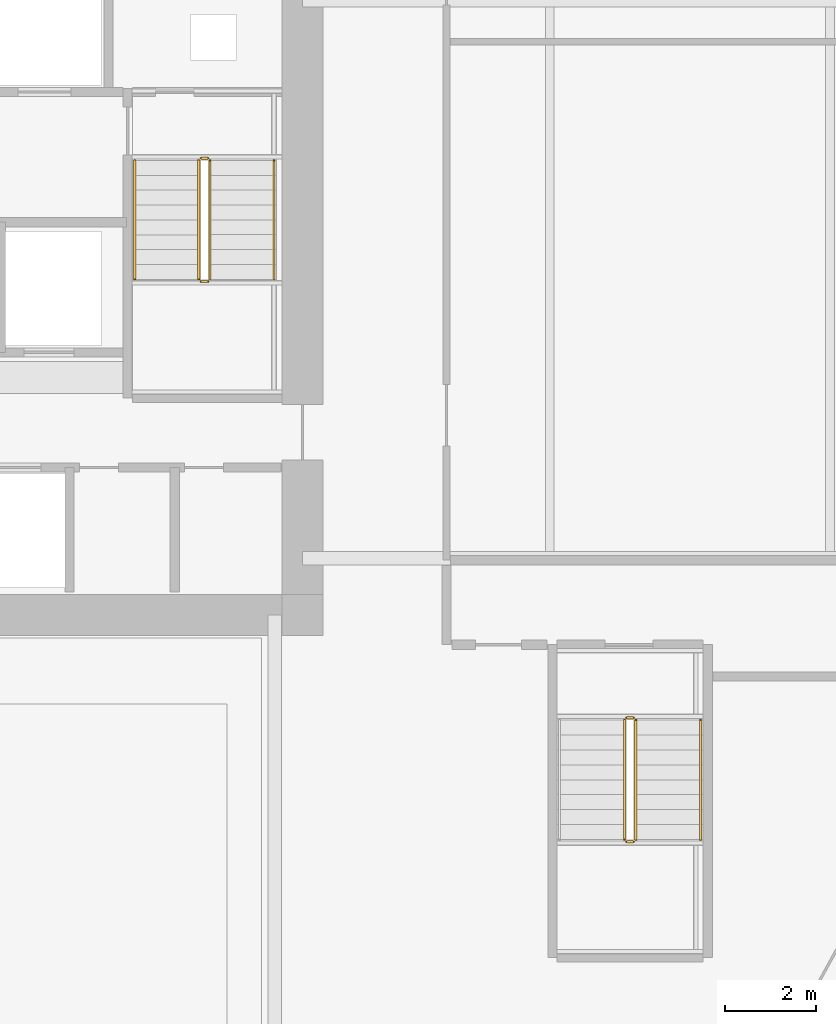
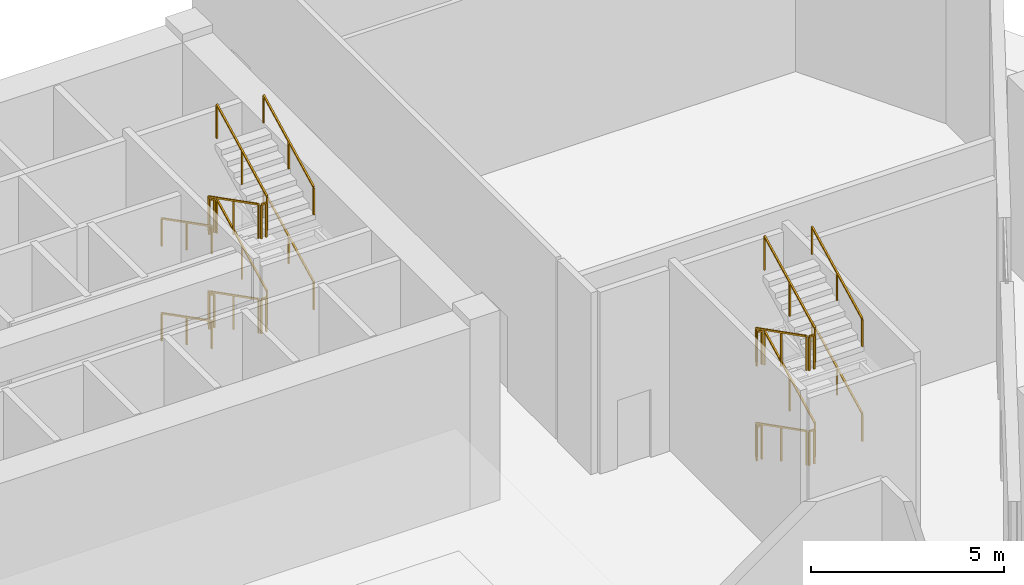
# One storey, part 21 of 22: 22 railings.
"""IFC4 building model written with IfcOpenShell, lengths in metres."""

from ifc_helpers import new_model, si_unit, direction, frame, origin, origin_2d, place, context, subcontext, project, spatial, rectangle, extrude, material, type_object, element, save


model = new_model("IFC4")

# Units and contexts
model_context = context("Model", 3, precision=1e-05, world=origin(), true_north=direction((0.0, 1.0)))
body_context = subcontext(model_context, "Body", "Model", "MODEL_VIEW")
ifc_project = project(units=[si_unit("LENGTHUNIT", "METRE"), si_unit("AREAUNIT", "SQUARE_METRE"), si_unit("VOLUMEUNIT", "CUBIC_METRE"), si_unit("PLANEANGLEUNIT", "RADIAN"), si_unit("MASSUNIT", "GRAM", prefix="KILO")], contexts=[model_context])

# Site, building, storey
site_placement = place(None, origin())
site = spatial("IfcSite", under=ifc_project, at=site_placement, CompositionType="ELEMENT")
building_placement = place(site_placement, origin())
building = spatial("IfcBuilding", under=site, at=building_placement, Name="Cinnabar Lancet Tower", CompositionType="ELEMENT")
storey_placement = place(building_placement, origin())
storey = spatial("IfcBuildingStorey", under=building, at=storey_placement, Name="L00", CompositionType="ELEMENT", Elevation=0.0)

# Railings
ifc_material_1 = material(Name="Painted galvanized steel balustrade", Category="steel")
railing_type_1 = type_object("IfcRailingType", Name="GUARD-STAIR", PredefinedType="GUARDRAIL", material=ifc_material_1)
railing_1_placement = place(storey_placement, frame((39.574951171875, 28.39990234375, 0.166748046875)))
element("IfcRailing", 1, at=railing_1_placement, inside=storey, type_object=railing_type_1, Name="L00 ST-2 stair guard 1", PredefinedType="GUARDRAIL", context=body_context, shape_type="SweptSolid", body=[
    extrude(rectangle(XDim=0.048095703125, YDim=0.048095703125, at=origin_2d()), frame((0.0, 0.0, 1.076171875), z_axis=(0.0, -0.889818332763, 0.45631495119), x_axis=(1.0, 0.0, 0.0)), (0.0, 0.0, 1.0), 2.921875),
    extrude(rectangle(XDim=0.0419921875, YDim=0.0419921875, at=origin_2d()), origin(), (0.0, 0.0, 1.0), 1.052001953125),
    extrude(rectangle(XDim=0.0419921875, YDim=0.0419921875, at=origin_2d()), frame((0.0, -1.2998046875, 0.66650390625)), (0.0, 0.0, 1.0), 1.052001953125),
    extrude(rectangle(XDim=0.0419921875, YDim=0.0419921875, at=origin_2d()), frame((0.0, -2.599853515625, 1.333251953125)), (0.0, 0.0, 1.0), 1.052001953125),
])
railing_2_placement = place(storey_placement, frame((39.625, 25.75, 1.5)))
element("IfcRailing", 2, at=railing_2_placement, inside=storey, type_object=railing_type_1, Name="L00 ST-2 stair guard 2", PredefinedType="GUARDRAIL", context=body_context, shape_type="SweptSolid", body=[
    extrude(rectangle(XDim=0.048095703125, YDim=0.048095703125, at=origin_2d()), frame((0.0, 0.0, 1.076171875), z_axis=(1.0, 0.0, 0.0), x_axis=(0.0, 1.0, 0.0)), (0.0, 0.0, 1.0), 0.14990234375),
    extrude(rectangle(XDim=0.0419921875, YDim=0.0419921875, at=origin_2d()), origin(), (0.0, 0.0, 1.0), 1.052001953125),
    extrude(rectangle(XDim=0.0419921875, YDim=0.0419921875, at=origin_2d()), frame((0.14990234375, 0.0, 0.0)), (0.0, 0.0, 1.0), 1.052001953125),
])
railing_3_placement = place(storey_placement, frame((39.824951171875, 25.800048828125, 1.666748046875)))
element("IfcRailing", 3, at=railing_3_placement, inside=storey, type_object=railing_type_1, Name="L00 ST-2 stair guard 3", PredefinedType="GUARDRAIL", context=body_context, shape_type="SweptSolid", body=[
    extrude(rectangle(XDim=0.048095703125, YDim=0.048095703125, at=origin_2d()), frame((0.0, 0.0, 1.076171875), z_axis=(0.0, 0.889818332763, 0.45631495119), x_axis=(-1.0, 0.0, 0.0)), (0.0, 0.0, 1.0), 2.921875),
    extrude(rectangle(XDim=0.0419921875, YDim=0.0419921875, at=origin_2d()), origin(), (0.0, 0.0, 1.0), 1.052001953125),
    extrude(rectangle(XDim=0.0419921875, YDim=0.0419921875, at=origin_2d()), frame((0.0, 1.2998046875, 0.66650390625)), (0.0, 0.0, 1.0), 1.052001953125),
    extrude(rectangle(XDim=0.0419921875, YDim=0.0419921875, at=origin_2d()), frame((0.0, 2.599853515625, 1.333251953125)), (0.0, 0.0, 1.0), 1.052001953125),
])
railing_4_placement = place(storey_placement, frame((39.625, 28.449951171875, 3.0)))
element("IfcRailing", 4, at=railing_4_placement, inside=storey, type_object=railing_type_1, Name="L00 ST-2 stair guard 4", PredefinedType="GUARDRAIL", context=body_context, shape_type="SweptSolid", body=[
    extrude(rectangle(XDim=0.048095703125, YDim=0.048095703125, at=origin_2d()), frame((0.0, 0.0, 1.076171875), z_axis=(1.0, 0.0, 0.0), x_axis=(0.0, 1.0, 0.0)), (0.0, 0.0, 1.0), 0.14990234375),
    extrude(rectangle(XDim=0.0419921875, YDim=0.0419921875, at=origin_2d()), origin(), (0.0, 0.0, 1.0), 1.052001953125),
    extrude(rectangle(XDim=0.0419921875, YDim=0.0419921875, at=origin_2d()), frame((0.14990234375, 0.0, 0.0)), (0.0, 0.0, 1.0), 1.052001953125),
])
railing_5_placement = place(storey_placement, frame((39.574951171875, 28.39990234375, 3.166748046875)))
element("IfcRailing", 5, at=railing_5_placement, inside=storey, type_object=railing_type_1, Name="L00 ST-2 stair guard 5", PredefinedType="GUARDRAIL", context=body_context, shape_type="SweptSolid", body=[
    extrude(rectangle(XDim=0.048095703125, YDim=0.048095703125, at=origin_2d()), frame((0.0, 0.0, 1.076171875), z_axis=(0.0, -0.889818332763, 0.45631495119), x_axis=(1.0, 0.0, 0.0)), (0.0, 0.0, 1.0), 2.921875),
    extrude(rectangle(XDim=0.0419921875, YDim=0.0419921875, at=origin_2d()), origin(), (0.0, 0.0, 1.0), 1.052001953125),
    extrude(rectangle(XDim=0.0419921875, YDim=0.0419921875, at=origin_2d()), frame((0.0, -1.2998046875, 0.66650390625)), (0.0, 0.0, 1.0), 1.052001953125),
    extrude(rectangle(XDim=0.0419921875, YDim=0.0419921875, at=origin_2d()), frame((0.0, -2.599853515625, 1.333251953125)), (0.0, 0.0, 1.0), 1.052001953125),
])
railing_6_placement = place(storey_placement, frame((39.625, 25.75, 4.5)))
element("IfcRailing", 6, at=railing_6_placement, inside=storey, type_object=railing_type_1, Name="L00 ST-2 stair guard 6", PredefinedType="GUARDRAIL", context=body_context, shape_type="SweptSolid", body=[
    extrude(rectangle(XDim=0.048095703125, YDim=0.048095703125, at=origin_2d()), frame((0.0, 0.0, 1.076171875), z_axis=(1.0, 0.0, 0.0), x_axis=(0.0, 1.0, 0.0)), (0.0, 0.0, 1.0), 0.14990234375),
    extrude(rectangle(XDim=0.0419921875, YDim=0.0419921875, at=origin_2d()), origin(), (0.0, 0.0, 1.0), 1.052001953125),
    extrude(rectangle(XDim=0.0419921875, YDim=0.0419921875, at=origin_2d()), frame((0.14990234375, 0.0, 0.0)), (0.0, 0.0, 1.0), 1.052001953125),
])
railing_7_placement = place(storey_placement, frame((39.824951171875, 25.800048828125, 4.666748046875)))
element("IfcRailing", 7, at=railing_7_placement, inside=storey, type_object=railing_type_1, Name="L00 ST-2 stair guard 7", PredefinedType="GUARDRAIL", context=body_context, shape_type="SweptSolid", body=[
    extrude(rectangle(XDim=0.048095703125, YDim=0.048095703125, at=origin_2d()), frame((0.0, 0.0, 1.076171875), z_axis=(0.0, 0.889818332763, 0.45631495119), x_axis=(-1.0, 0.0, 0.0)), (0.0, 0.0, 1.0), 2.921875),
    extrude(rectangle(XDim=0.0419921875, YDim=0.0419921875, at=origin_2d()), origin(), (0.0, 0.0, 1.0), 1.052001953125),
    extrude(rectangle(XDim=0.0419921875, YDim=0.0419921875, at=origin_2d()), frame((0.0, 1.2998046875, 0.66650390625)), (0.0, 0.0, 1.0), 1.052001953125),
    extrude(rectangle(XDim=0.0419921875, YDim=0.0419921875, at=origin_2d()), frame((0.0, 2.599853515625, 1.333251953125)), (0.0, 0.0, 1.0), 1.052001953125),
])
railing_8_placement = place(storey_placement, frame((39.625, 28.449951171875, 0.0)))
element("IfcRailing", 8, at=railing_8_placement, inside=storey, type_object=railing_type_1, Name="L00 ST-2 stair guard 8", PredefinedType="GUARDRAIL", context=body_context, shape_type="SweptSolid", body=[
    extrude(rectangle(XDim=0.048095703125, YDim=0.048095703125, at=origin_2d()), frame((0.0, 0.0, 1.076171875), z_axis=(1.0, 0.0, 0.0), x_axis=(0.0, 1.0, 0.0)), (0.0, 0.0, 1.0), 0.14990234375),
    extrude(rectangle(XDim=0.0419921875, YDim=0.0419921875, at=origin_2d()), origin(), (0.0, 0.0, 1.0), 1.052001953125),
    extrude(rectangle(XDim=0.0419921875, YDim=0.0419921875, at=origin_2d()), frame((0.14990234375, 0.0, 0.0)), (0.0, 0.0, 1.0), 1.052001953125),
])
railing_9_placement = place(storey_placement, frame((48.89501953125, 16.14990234375, 0.166748046875)))
element("IfcRailing", 9, at=railing_9_placement, inside=storey, type_object=railing_type_1, Name="L00 ST-4 stair guard 1", PredefinedType="GUARDRAIL", context=body_context, shape_type="SweptSolid", body=[
    extrude(rectangle(XDim=0.048095703125, YDim=0.048095703125, at=origin_2d()), frame((0.0, 0.0, 1.076171875), z_axis=(0.0, -0.890838150125, 0.454320801067), x_axis=(1.0, 0.0, 0.0)), (0.0, 0.0, 1.0), 2.9345703125),
    extrude(rectangle(XDim=0.0419921875, YDim=0.0419921875, at=origin_2d()), origin(), (0.0, 0.0, 1.0), 1.052001953125),
    extrude(rectangle(XDim=0.0419921875, YDim=0.0419921875, at=origin_2d()), frame((0.0, -1.30712890625, 0.66650390625)), (0.0, 0.0, 1.0), 1.052001953125),
    extrude(rectangle(XDim=0.0419921875, YDim=0.0419921875, at=origin_2d()), frame((0.0, -2.6142578125, 1.333251953125)), (0.0, 0.0, 1.0), 1.052001953125),
])
railing_10_placement = place(storey_placement, frame((48.945068359375, 13.485595703125, 1.5)))
element("IfcRailing", 10, at=railing_10_placement, inside=storey, type_object=railing_type_1, Name="L00 ST-4 stair guard 2", PredefinedType="GUARDRAIL", context=body_context, shape_type="SweptSolid", body=[
    extrude(rectangle(XDim=0.048095703125, YDim=0.048095703125, at=origin_2d()), frame((0.0, 0.0, 1.076171875), z_axis=(1.0, 0.0, 0.0), x_axis=(0.0, 1.0, 0.0)), (0.0, 0.0, 1.0), 0.14990234375),
    extrude(rectangle(XDim=0.0419921875, YDim=0.0419921875, at=origin_2d()), origin(), (0.0, 0.0, 1.0), 1.052001953125),
    extrude(rectangle(XDim=0.0419921875, YDim=0.0419921875, at=origin_2d()), frame((0.14990234375, 0.0, 0.0)), (0.0, 0.0, 1.0), 1.052001953125),
])
railing_11_placement = place(storey_placement, frame((49.14501953125, 13.53564453125, 1.666748046875)))
element("IfcRailing", 11, at=railing_11_placement, inside=storey, type_object=railing_type_1, Name="L00 ST-4 stair guard 3", PredefinedType="GUARDRAIL", context=body_context, shape_type="SweptSolid", body=[
    extrude(rectangle(XDim=0.048095703125, YDim=0.048095703125, at=origin_2d()), frame((0.0, 0.0, 1.076171875), z_axis=(0.0, 0.890838150125, 0.454320801067), x_axis=(-1.0, 0.0, 0.0)), (0.0, 0.0, 1.0), 2.9345703125),
    extrude(rectangle(XDim=0.0419921875, YDim=0.0419921875, at=origin_2d()), origin(), (0.0, 0.0, 1.0), 1.052001953125),
    extrude(rectangle(XDim=0.0419921875, YDim=0.0419921875, at=origin_2d()), frame((0.0, 1.30712890625, 0.66650390625)), (0.0, 0.0, 1.0), 1.052001953125),
    extrude(rectangle(XDim=0.0419921875, YDim=0.0419921875, at=origin_2d()), frame((0.0, 2.6142578125, 1.333251953125)), (0.0, 0.0, 1.0), 1.052001953125),
])
railing_12_placement = place(storey_placement, frame((48.945068359375, 16.199951171875, 3.0)))
element("IfcRailing", 12, at=railing_12_placement, inside=storey, type_object=railing_type_1, Name="L00 ST-4 stair guard 4", PredefinedType="GUARDRAIL", context=body_context, shape_type="SweptSolid", body=[
    extrude(rectangle(XDim=0.048095703125, YDim=0.048095703125, at=origin_2d()), frame((0.0, 0.0, 1.076171875), z_axis=(1.0, 0.0, 0.0), x_axis=(0.0, 1.0, 0.0)), (0.0, 0.0, 1.0), 0.14990234375),
    extrude(rectangle(XDim=0.0419921875, YDim=0.0419921875, at=origin_2d()), origin(), (0.0, 0.0, 1.0), 1.052001953125),
    extrude(rectangle(XDim=0.0419921875, YDim=0.0419921875, at=origin_2d()), frame((0.14990234375, 0.0, 0.0)), (0.0, 0.0, 1.0), 1.052001953125),
])
railing_13_placement = place(storey_placement, frame((48.89501953125, 16.14990234375, 3.166748046875)))
element("IfcRailing", 13, at=railing_13_placement, inside=storey, type_object=railing_type_1, Name="L00 ST-4 stair guard 5", PredefinedType="GUARDRAIL", context=body_context, shape_type="SweptSolid", body=[
    extrude(rectangle(XDim=0.048095703125, YDim=0.048095703125, at=origin_2d()), frame((0.0, 0.0, 1.076171875), z_axis=(0.0, -0.890838150125, 0.454320801067), x_axis=(1.0, 0.0, 0.0)), (0.0, 0.0, 1.0), 2.9345703125),
    extrude(rectangle(XDim=0.0419921875, YDim=0.0419921875, at=origin_2d()), origin(), (0.0, 0.0, 1.0), 1.052001953125),
    extrude(rectangle(XDim=0.0419921875, YDim=0.0419921875, at=origin_2d()), frame((0.0, -1.30712890625, 0.66650390625)), (0.0, 0.0, 1.0), 1.052001953125),
    extrude(rectangle(XDim=0.0419921875, YDim=0.0419921875, at=origin_2d()), frame((0.0, -2.6142578125, 1.333251953125)), (0.0, 0.0, 1.0), 1.052001953125),
])
railing_14_placement = place(storey_placement, frame((48.945068359375, 13.485595703125, 4.5)))
element("IfcRailing", 14, at=railing_14_placement, inside=storey, type_object=railing_type_1, Name="L00 ST-4 stair guard 6", PredefinedType="GUARDRAIL", context=body_context, shape_type="SweptSolid", body=[
    extrude(rectangle(XDim=0.048095703125, YDim=0.048095703125, at=origin_2d()), frame((0.0, 0.0, 1.076171875), z_axis=(1.0, 0.0, 0.0), x_axis=(0.0, 1.0, 0.0)), (0.0, 0.0, 1.0), 0.14990234375),
    extrude(rectangle(XDim=0.0419921875, YDim=0.0419921875, at=origin_2d()), origin(), (0.0, 0.0, 1.0), 1.052001953125),
    extrude(rectangle(XDim=0.0419921875, YDim=0.0419921875, at=origin_2d()), frame((0.14990234375, 0.0, 0.0)), (0.0, 0.0, 1.0), 1.052001953125),
])
railing_15_placement = place(storey_placement, frame((49.14501953125, 13.53564453125, 4.666748046875)))
element("IfcRailing", 15, at=railing_15_placement, inside=storey, type_object=railing_type_1, Name="L00 ST-4 stair guard 7", PredefinedType="GUARDRAIL", context=body_context, shape_type="SweptSolid", body=[
    extrude(rectangle(XDim=0.048095703125, YDim=0.048095703125, at=origin_2d()), frame((0.0, 0.0, 1.076171875), z_axis=(0.0, 0.890838150125, 0.454320801067), x_axis=(-1.0, 0.0, 0.0)), (0.0, 0.0, 1.0), 2.9345703125),
    extrude(rectangle(XDim=0.0419921875, YDim=0.0419921875, at=origin_2d()), origin(), (0.0, 0.0, 1.0), 1.052001953125),
    extrude(rectangle(XDim=0.0419921875, YDim=0.0419921875, at=origin_2d()), frame((0.0, 1.30712890625, 0.66650390625)), (0.0, 0.0, 1.0), 1.052001953125),
    extrude(rectangle(XDim=0.0419921875, YDim=0.0419921875, at=origin_2d()), frame((0.0, 2.6142578125, 1.333251953125)), (0.0, 0.0, 1.0), 1.052001953125),
])
railing_16_placement = place(storey_placement, frame((48.945068359375, 16.199951171875, 0.0)))
element("IfcRailing", 16, at=railing_16_placement, inside=storey, type_object=railing_type_1, Name="L00 ST-4 stair guard 8", PredefinedType="GUARDRAIL", context=body_context, shape_type="SweptSolid", body=[
    extrude(rectangle(XDim=0.048095703125, YDim=0.048095703125, at=origin_2d()), frame((0.0, 0.0, 1.076171875), z_axis=(1.0, 0.0, 0.0), x_axis=(0.0, 1.0, 0.0)), (0.0, 0.0, 1.0), 0.14990234375),
    extrude(rectangle(XDim=0.0419921875, YDim=0.0419921875, at=origin_2d()), origin(), (0.0, 0.0, 1.0), 1.052001953125),
    extrude(rectangle(XDim=0.0419921875, YDim=0.0419921875, at=origin_2d()), frame((0.14990234375, 0.0, 0.0)), (0.0, 0.0, 1.0), 1.052001953125),
])
ifc_material_2 = material(Name="Brushed stainless steel handrail", Category="steel")
railing_type_2 = type_object("IfcRailingType", Name="HANDRAIL-STAIR", PredefinedType="HANDRAIL", material=ifc_material_2)
railing_17_placement = place(storey_placement, frame((38.175048828125, 28.39990234375, 0.166748046875)))
element("IfcRailing", 17, at=railing_17_placement, inside=storey, type_object=railing_type_2, Name="L00 ST-2 stair handrail 1", PredefinedType="HANDRAIL", context=body_context, shape_type="SweptSolid", body=[
    extrude(rectangle(XDim=0.048095703125, YDim=0.048095703125, at=origin_2d()), frame((0.0, 0.0, 0.8759765625), z_axis=(0.0, -0.889818332763, 0.45631495119), x_axis=(1.0, 0.0, 0.0)), (0.0, 0.0, 1.0), 2.921875),
    extrude(rectangle(XDim=0.0419921875, YDim=0.0419921875, at=origin_2d()), origin(), (0.0, 0.0, 1.0), 0.851806640625),
    extrude(rectangle(XDim=0.0419921875, YDim=0.0419921875, at=origin_2d()), frame((0.0, -1.2998046875, 0.66650390625)), (0.0, 0.0, 1.0), 0.851806640625),
    extrude(rectangle(XDim=0.0419921875, YDim=0.0419921875, at=origin_2d()), frame((0.0, -2.599853515625, 1.333251953125)), (0.0, 0.0, 1.0), 0.851806640625),
])
railing_18_placement = place(storey_placement, frame((41.22509765625, 25.800048828125, 1.666748046875)))
element("IfcRailing", 18, at=railing_18_placement, inside=storey, type_object=railing_type_2, Name="L00 ST-2 stair handrail 2", PredefinedType="HANDRAIL", context=body_context, shape_type="SweptSolid", body=[
    extrude(rectangle(XDim=0.048095703125, YDim=0.048095703125, at=origin_2d()), frame((0.0, 0.0, 0.8759765625), z_axis=(0.0, 0.889818332763, 0.45631495119), x_axis=(-1.0, 0.0, 0.0)), (0.0, 0.0, 1.0), 2.921875),
    extrude(rectangle(XDim=0.0419921875, YDim=0.0419921875, at=origin_2d()), origin(), (0.0, 0.0, 1.0), 0.851806640625),
    extrude(rectangle(XDim=0.0419921875, YDim=0.0419921875, at=origin_2d()), frame((0.0, 1.2998046875, 0.66650390625)), (0.0, 0.0, 1.0), 0.851806640625),
    extrude(rectangle(XDim=0.0419921875, YDim=0.0419921875, at=origin_2d()), frame((0.0, 2.599853515625, 1.333251953125)), (0.0, 0.0, 1.0), 0.851806640625),
])
railing_19_placement = place(storey_placement, frame((38.175048828125, 28.39990234375, 3.166748046875)))
element("IfcRailing", 19, at=railing_19_placement, inside=storey, type_object=railing_type_2, Name="L00 ST-2 stair handrail 3", PredefinedType="HANDRAIL", context=body_context, shape_type="SweptSolid", body=[
    extrude(rectangle(XDim=0.048095703125, YDim=0.048095703125, at=origin_2d()), frame((0.0, 0.0, 0.8759765625), z_axis=(0.0, -0.889818332763, 0.45631495119), x_axis=(1.0, 0.0, 0.0)), (0.0, 0.0, 1.0), 2.921875),
    extrude(rectangle(XDim=0.0419921875, YDim=0.0419921875, at=origin_2d()), origin(), (0.0, 0.0, 1.0), 0.851806640625),
    extrude(rectangle(XDim=0.0419921875, YDim=0.0419921875, at=origin_2d()), frame((0.0, -1.2998046875, 0.66650390625)), (0.0, 0.0, 1.0), 0.851806640625),
    extrude(rectangle(XDim=0.0419921875, YDim=0.0419921875, at=origin_2d()), frame((0.0, -2.599853515625, 1.333251953125)), (0.0, 0.0, 1.0), 0.851806640625),
])
railing_20_placement = place(storey_placement, frame((41.22509765625, 25.800048828125, 4.666748046875)))
element("IfcRailing", 20, at=railing_20_placement, inside=storey, type_object=railing_type_2, Name="L00 ST-2 stair handrail 4", PredefinedType="HANDRAIL", context=body_context, shape_type="SweptSolid", body=[
    extrude(rectangle(XDim=0.048095703125, YDim=0.048095703125, at=origin_2d()), frame((0.0, 0.0, 0.8759765625), z_axis=(0.0, 0.889818332763, 0.45631495119), x_axis=(-1.0, 0.0, 0.0)), (0.0, 0.0, 1.0), 2.921875),
    extrude(rectangle(XDim=0.0419921875, YDim=0.0419921875, at=origin_2d()), origin(), (0.0, 0.0, 1.0), 0.851806640625),
    extrude(rectangle(XDim=0.0419921875, YDim=0.0419921875, at=origin_2d()), frame((0.0, 1.2998046875, 0.66650390625)), (0.0, 0.0, 1.0), 0.851806640625),
    extrude(rectangle(XDim=0.0419921875, YDim=0.0419921875, at=origin_2d()), frame((0.0, 2.599853515625, 1.333251953125)), (0.0, 0.0, 1.0), 0.851806640625),
])
for number, where, name in (
    (21, (50.56494140625, 13.53564453125, 1.666748046875), "L00 ST-4 stair handrail 2"),
    (22, (50.56494140625, 13.53564453125, 4.666748046875), "L00 ST-4 stair handrail 4"),
):
    element("IfcRailing", number, at=place(storey_placement, frame(where)), inside=storey, type_object=railing_type_2, Name=name, PredefinedType="HANDRAIL", context=body_context, shape_type="SweptSolid", body=[
        extrude(rectangle(XDim=0.048095703125, YDim=0.048095703125, at=origin_2d()), frame((0.0, 0.0, 0.8759765625), z_axis=(0.0, 0.890838150125, 0.454320801067), x_axis=(-1.0, 0.0, 0.0)), (0.0, 0.0, 1.0), 2.9345703125),
        extrude(rectangle(XDim=0.0419921875, YDim=0.0419921875, at=origin_2d()), origin(), (0.0, 0.0, 1.0), 0.851806640625),
        extrude(rectangle(XDim=0.0419921875, YDim=0.0419921875, at=origin_2d()), frame((0.0, 1.30712890625, 0.66650390625)), (0.0, 0.0, 1.0), 0.851806640625),
        extrude(rectangle(XDim=0.0419921875, YDim=0.0419921875, at=origin_2d()), frame((0.0, 2.6142578125, 1.333251953125)), (0.0, 0.0, 1.0), 0.851806640625),
    ])

save(model, "model.ifc")
